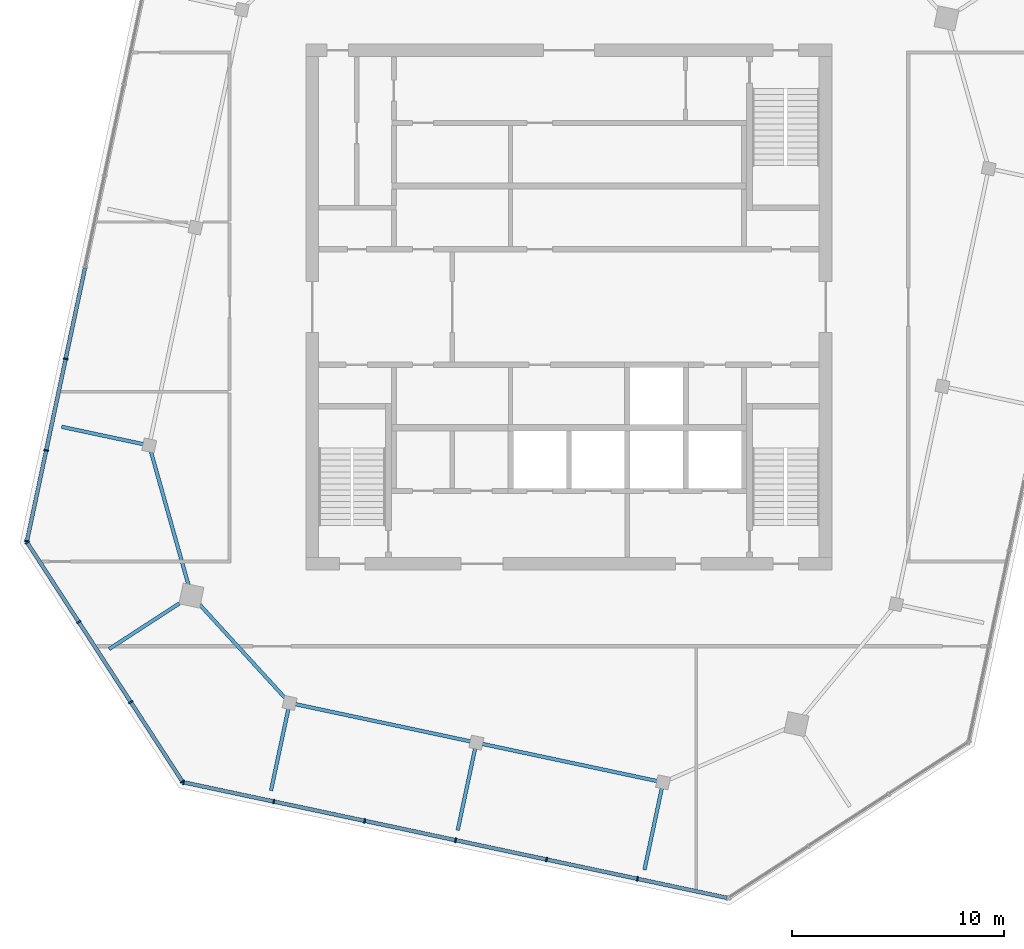
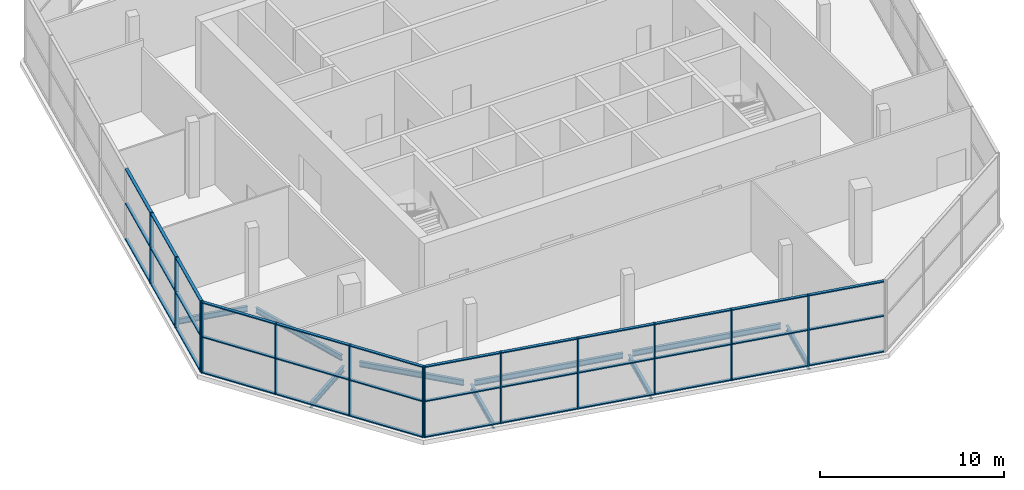
# One storey, part 2 of 11: 49 members, 9 beams, 3 elements without a shape of their own.
"""IFC4 building model written with IfcOpenShell, lengths in metres."""

from ifc_helpers import new_model, si_unit, direction, frame, origin, origin_2d, place, context, subcontext, project, spatial, rectangle, i_section, extrude, material, material_profile, profile_set, type_object, element, aggregate, save


model = new_model("IFC4")

# Units and contexts
model_context = context("Model", 3, precision=1e-05, world=origin(), true_north=direction((0.0, 1.0)))
body_context = subcontext(model_context, "Body", "Model", "MODEL_VIEW")
ifc_project = project(units=[si_unit("LENGTHUNIT", "METRE"), si_unit("AREAUNIT", "SQUARE_METRE"), si_unit("VOLUMEUNIT", "CUBIC_METRE"), si_unit("PLANEANGLEUNIT", "RADIAN"), si_unit("MASSUNIT", "GRAM", prefix="KILO")], contexts=[model_context])

# Site, building, storey
site_placement = place(None, origin())
site = spatial("IfcSite", under=ifc_project, at=site_placement, CompositionType="ELEMENT")
building_placement = place(site_placement, origin())
building = spatial("IfcBuilding", under=site, at=building_placement, Name="Dilmun Exchange Tower", CompositionType="ELEMENT")
storey_placement = place(building_placement, frame((0.0, 0.0, 363.10009765625)))
storey = spatial("IfcBuildingStorey", under=building, at=storey_placement, Name="Crown L85", CompositionType="ELEMENT", Elevation=363.10009765625)

# Curtain wall, members
ifc_material_1 = material(Name="Anodised aluminium and clear glass", Category="aluminium")
curtain_wall_type = type_object("IfcCurtainWallType", Name="Sky garden glazing", PredefinedType="NOTDEFINED", material=ifc_material_1)
curtain_wall_1_placement = place(storey_placement, origin())
curtain_wall_1 = element("IfcCurtainWall", 1, at=curtain_wall_1_placement, inside=storey, type_object=curtain_wall_type, Name="Sky garden glazing run SG1", PredefinedType="NOTDEFINED")
ifc_material_2 = material(Name="Anodised aluminium", Category="aluminium")
ifc_material_profile_1 = material_profile(ifc_material_2, rectangle(XDim=0.219970703125, YDim=0.070068359375, at=origin_2d()), Name="AL 70x220")
ifc_profile_set_1 = profile_set([ifc_material_profile_1], Name="Anodised aluminium")
member_type_1 = type_object("IfcMemberType", Name="Sky garden glazing mullion 70 x 220", PredefinedType="MULLION", material=ifc_profile_set_1)
member_1_placement = place(storey_placement, frame((-18.169677734375, -22.412109375, 0.0), z_axis=(0.0, 0.0, 1.0), x_axis=(0.20791287979, 0.978147348009, 0.0)))
member_1 = element("IfcMember", 2, at=member_1_placement, type_object=member_type_1, Name="SG1 mullion 1", PredefinedType="MULLION", context=body_context, shape_type="SweptSolid", body=[
    extrude(rectangle(XDim=0.219970703125, YDim=0.070068359375, at=origin_2d()), origin(), (0.0, 0.0, 1.0), 4.699951171875),
])
member_2_placement = place(storey_placement, frame((-13.9169921875, -23.31591796875, 0.0), z_axis=(0.0, 0.0, 1.0), x_axis=(0.20791287979, 0.978147348009, 0.0)))
member_2 = element("IfcMember", 3, at=member_2_placement, type_object=member_type_1, Name="SG1 mullion 2", PredefinedType="MULLION", context=body_context, shape_type="SweptSolid", body=[
    extrude(rectangle(XDim=0.219970703125, YDim=0.070068359375, at=origin_2d()), origin(), (0.0, 0.0, 1.0), 4.699951171875),
])
member_3_placement = place(storey_placement, frame((-9.630126953125, -24.227294921875, 0.0), z_axis=(0.0, 0.0, 1.0), x_axis=(0.20791287979, 0.978147348009, 0.0)))
member_3 = element("IfcMember", 4, at=member_3_placement, type_object=member_type_1, Name="SG1 mullion 3", PredefinedType="MULLION", context=body_context, shape_type="SweptSolid", body=[
    extrude(rectangle(XDim=0.219970703125, YDim=0.070068359375, at=origin_2d()), origin(), (0.0, 0.0, 1.0), 4.699951171875),
])
member_4_placement = place(storey_placement, frame((-5.34326171875, -25.138427734375, 0.0), z_axis=(0.0, 0.0, 1.0), x_axis=(0.20791287979, 0.978147348009, 0.0)))
member_4 = element("IfcMember", 5, at=member_4_placement, type_object=member_type_1, Name="SG1 mullion 4", PredefinedType="MULLION", context=body_context, shape_type="SweptSolid", body=[
    extrude(rectangle(XDim=0.219970703125, YDim=0.070068359375, at=origin_2d()), origin(), (0.0, 0.0, 1.0), 4.699951171875),
])
member_5_placement = place(storey_placement, frame((-1.056396484375, -26.049560546875, 0.0), z_axis=(0.0, 0.0, 1.0), x_axis=(0.20791287979, 0.978147348009, 0.0)))
member_5 = element("IfcMember", 6, at=member_5_placement, type_object=member_type_1, Name="SG1 mullion 5", PredefinedType="MULLION", context=body_context, shape_type="SweptSolid", body=[
    extrude(rectangle(XDim=0.219970703125, YDim=0.070068359375, at=origin_2d()), origin(), (0.0, 0.0, 1.0), 4.699951171875),
])
member_6_placement = place(storey_placement, frame((3.23046875, -26.960693359375, 0.0), z_axis=(0.0, 0.0, 1.0), x_axis=(0.20791287979, 0.978147348009, 0.0)))
member_6 = element("IfcMember", 7, at=member_6_placement, type_object=member_type_1, Name="SG1 mullion 6", PredefinedType="MULLION", context=body_context, shape_type="SweptSolid", body=[
    extrude(rectangle(XDim=0.219970703125, YDim=0.070068359375, at=origin_2d()), origin(), (0.0, 0.0, 1.0), 4.699951171875),
])

curtain_wall_2_placement = place(storey_placement, origin())
curtain_wall_2 = element("IfcCurtainWall", 8, at=curtain_wall_2_placement, inside=storey, type_object=curtain_wall_type, Name="Sky garden glazing run SG7", PredefinedType="NOTDEFINED")
member_7_placement = place(storey_placement, frame((-23.726806640625, -2.44482421875, 0.0), z_axis=(0.0, 0.0, 1.0), x_axis=(0.97814767341, -0.207911348902, 0.0)))
member_7 = element("IfcMember", 9, at=member_7_placement, type_object=member_type_1, Name="SG7 mullion 6", PredefinedType="MULLION", context=body_context, shape_type="SweptSolid", body=[
    extrude(rectangle(XDim=0.219970703125, YDim=0.070068359375, at=origin_2d()), origin(), (0.0, 0.0, 1.0), 4.699951171875),
])
member_8_placement = place(storey_placement, frame((-24.64404296875, -6.76025390625, 0.0), z_axis=(0.0, 0.0, 1.0), x_axis=(0.97814767341, -0.207911348902, 0.0)))
member_8 = element("IfcMember", 10, at=member_8_placement, type_object=member_type_1, Name="SG7 mullion 7", PredefinedType="MULLION", context=body_context, shape_type="SweptSolid", body=[
    extrude(rectangle(XDim=0.219970703125, YDim=0.070068359375, at=origin_2d()), origin(), (0.0, 0.0, 1.0), 4.699951171875),
])
member_9_placement = place(storey_placement, frame((-25.553955078125, -11.041259765625, 0.0), z_axis=(0.0, 0.0, 1.0), x_axis=(0.97814767341, -0.207911348902, 0.0)))
member_9 = element("IfcMember", 11, at=member_9_placement, type_object=member_type_1, Name="SG7 mullion 8", PredefinedType="MULLION", context=body_context, shape_type="SweptSolid", body=[
    extrude(rectangle(XDim=0.219970703125, YDim=0.070068359375, at=origin_2d()), origin(), (0.0, 0.0, 1.0), 4.699951171875),
])

curtain_wall_3_placement = place(storey_placement, origin())
curtain_wall_3 = element("IfcCurtainWall", 12, at=curtain_wall_3_placement, inside=storey, type_object=curtain_wall_type, Name="Sky garden glazing run SG8", PredefinedType="NOTDEFINED")
member_10_placement = place(storey_placement, frame((-25.542236328125, -11.104736328125, 0.0), z_axis=(0.0, 0.0, 1.0), x_axis=(0.838667132077, 0.544644325751, 0.0)))
member_10 = element("IfcMember", 13, at=member_10_placement, type_object=member_type_1, Name="SG8 mullion 1", PredefinedType="MULLION", context=body_context, shape_type="SweptSolid", body=[
    extrude(rectangle(XDim=0.219970703125, YDim=0.070068359375, at=origin_2d()), origin(), (0.0, 0.0, 1.0), 4.699951171875),
])
member_11_placement = place(storey_placement, frame((-23.10888671875, -14.851806640625, 0.0), z_axis=(0.0, 0.0, 1.0), x_axis=(0.838667132077, 0.544644325751, 0.0)))
member_11 = element("IfcMember", 14, at=member_11_placement, type_object=member_type_1, Name="SG8 mullion 2", PredefinedType="MULLION", context=body_context, shape_type="SweptSolid", body=[
    extrude(rectangle(XDim=0.219970703125, YDim=0.070068359375, at=origin_2d()), origin(), (0.0, 0.0, 1.0), 4.699951171875),
])
member_12_placement = place(storey_placement, frame((-20.65625, -18.62841796875, 0.0), z_axis=(0.0, 0.0, 1.0), x_axis=(0.838667132077, 0.544644325751, 0.0)))
member_12 = element("IfcMember", 15, at=member_12_placement, type_object=member_type_1, Name="SG8 mullion 3", PredefinedType="MULLION", context=body_context, shape_type="SweptSolid", body=[
    extrude(rectangle(XDim=0.219970703125, YDim=0.070068359375, at=origin_2d()), origin(), (0.0, 0.0, 1.0), 4.699951171875),
])
member_13_placement = place(storey_placement, frame((-18.222900390625, -22.37548828125, 0.0), z_axis=(0.0, 0.0, 1.0), x_axis=(0.838667132077, 0.544644325751, 0.0)))
member_13 = element("IfcMember", 16, at=member_13_placement, type_object=member_type_1, Name="SG8 mullion 4", PredefinedType="MULLION", context=body_context, shape_type="SweptSolid", body=[
    extrude(rectangle(XDim=0.219970703125, YDim=0.070068359375, at=origin_2d()), origin(), (0.0, 0.0, 1.0), 4.699951171875),
])

# Member
ifc_material_profile_2 = material_profile(ifc_material_2, rectangle(XDim=0.179931640625, YDim=0.070068359375, at=origin_2d()), Name="AL 70x180")
ifc_profile_set_2 = profile_set([ifc_material_profile_2], Name="Anodised aluminium")
member_type_2 = type_object("IfcMemberType", Name="Sky garden glazing transom 70 x 180", PredefinedType="USERDEFINED", material=ifc_profile_set_2)
member_14_placement = place(storey_placement, frame((-18.13525390625, -22.41943359375, 0.034912109375), z_axis=(0.978145213699, -0.207922920615, 0.0), x_axis=(0.207922920615, 0.978145213699, 0.0)))
member_14 = element("IfcMember", 17, at=member_14_placement, type_object=member_type_2, Name="SG1 transom 1.1", ObjectType="TRANSOM", PredefinedType="USERDEFINED", context=body_context, shape_type="SweptSolid", body=[
    extrude(rectangle(XDim=0.179931640625, YDim=0.070068359375, at=origin_2d()), origin(), (0.0, 0.0, 1.0), 4.277587890625),
])

member_15_placement = place(storey_placement, frame((-18.13525390625, -22.41943359375, 2.39990234375), z_axis=(0.978145213699, -0.207922920615, 0.0), x_axis=(0.207922920615, 0.978145213699, 0.0)))
member_15 = element("IfcMember", 18, at=member_15_placement, type_object=member_type_2, Name="SG1 transom 1.2", ObjectType="TRANSOM", PredefinedType="USERDEFINED", context=body_context, shape_type="SweptSolid", body=[
    extrude(rectangle(XDim=0.179931640625, YDim=0.070068359375, at=origin_2d()), origin(), (0.0, 0.0, 1.0), 4.277587890625),
])

member_16_placement = place(storey_placement, frame((-18.13525390625, -22.41943359375, 4.664794921875), z_axis=(0.978145213699, -0.207922920615, 0.0), x_axis=(0.207922920615, 0.978145213699, 0.0)))
member_16 = element("IfcMember", 19, at=member_16_placement, type_object=member_type_2, Name="SG1 transom 1.3", ObjectType="TRANSOM", PredefinedType="USERDEFINED", context=body_context, shape_type="SweptSolid", body=[
    extrude(rectangle(XDim=0.179931640625, YDim=0.070068359375, at=origin_2d()), origin(), (0.0, 0.0, 1.0), 4.277587890625),
])

member_17_placement = place(storey_placement, frame((-13.8828125, -23.3232421875, 0.034912109375), z_axis=(0.978144893257, -0.207924428088, 0.0), x_axis=(0.207924428088, 0.978144893257, 0.0)))
member_17 = element("IfcMember", 20, at=member_17_placement, type_object=member_type_2, Name="SG1 transom 2.1", ObjectType="TRANSOM", PredefinedType="USERDEFINED", context=body_context, shape_type="SweptSolid", body=[
    extrude(rectangle(XDim=0.179931640625, YDim=0.070068359375, at=origin_2d()), origin(), (0.0, 0.0, 1.0), 4.312744140625),
])

member_18_placement = place(storey_placement, frame((-13.8828125, -23.3232421875, 2.39990234375), z_axis=(0.978144893257, -0.207924428088, 0.0), x_axis=(0.207924428088, 0.978144893257, 0.0)))
member_18 = element("IfcMember", 21, at=member_18_placement, type_object=member_type_2, Name="SG1 transom 2.2", ObjectType="TRANSOM", PredefinedType="USERDEFINED", context=body_context, shape_type="SweptSolid", body=[
    extrude(rectangle(XDim=0.179931640625, YDim=0.070068359375, at=origin_2d()), origin(), (0.0, 0.0, 1.0), 4.312744140625),
])

member_19_placement = place(storey_placement, frame((-13.8828125, -23.3232421875, 4.664794921875), z_axis=(0.978144893257, -0.207924428088, 0.0), x_axis=(0.207924428088, 0.978144893257, 0.0)))
member_19 = element("IfcMember", 22, at=member_19_placement, type_object=member_type_2, Name="SG1 transom 2.3", ObjectType="TRANSOM", PredefinedType="USERDEFINED", context=body_context, shape_type="SweptSolid", body=[
    extrude(rectangle(XDim=0.179931640625, YDim=0.070068359375, at=origin_2d()), origin(), (0.0, 0.0, 1.0), 4.312744140625),
])

member_20_placement = place(storey_placement, frame((-9.595947265625, -24.234375, 0.034912109375), z_axis=(0.978144893257, -0.207924428088, 0.0), x_axis=(0.207924428088, 0.978144893257, 0.0)))
member_20 = element("IfcMember", 23, at=member_20_placement, type_object=member_type_2, Name="SG1 transom 3.1", ObjectType="TRANSOM", PredefinedType="USERDEFINED", context=body_context, shape_type="SweptSolid", body=[
    extrude(rectangle(XDim=0.179931640625, YDim=0.070068359375, at=origin_2d()), origin(), (0.0, 0.0, 1.0), 4.312744140625),
])

member_21_placement = place(storey_placement, frame((-9.595947265625, -24.234375, 2.39990234375), z_axis=(0.978144893257, -0.207924428088, 0.0), x_axis=(0.207924428088, 0.978144893257, 0.0)))
member_21 = element("IfcMember", 24, at=member_21_placement, type_object=member_type_2, Name="SG1 transom 3.2", ObjectType="TRANSOM", PredefinedType="USERDEFINED", context=body_context, shape_type="SweptSolid", body=[
    extrude(rectangle(XDim=0.179931640625, YDim=0.070068359375, at=origin_2d()), origin(), (0.0, 0.0, 1.0), 4.312744140625),
])

member_22_placement = place(storey_placement, frame((-9.595947265625, -24.234375, 4.664794921875), z_axis=(0.978144893257, -0.207924428088, 0.0), x_axis=(0.207924428088, 0.978144893257, 0.0)))
member_22 = element("IfcMember", 25, at=member_22_placement, type_object=member_type_2, Name="SG1 transom 3.3", ObjectType="TRANSOM", PredefinedType="USERDEFINED", context=body_context, shape_type="SweptSolid", body=[
    extrude(rectangle(XDim=0.179931640625, YDim=0.070068359375, at=origin_2d()), origin(), (0.0, 0.0, 1.0), 4.312744140625),
])

member_23_placement = place(storey_placement, frame((-5.30908203125, -25.145751953125, 0.034912109375), z_axis=(0.978153958715, -0.207881776618, 0.0), x_axis=(0.207881776618, 0.978153958715, 0.0)))
member_23 = element("IfcMember", 26, at=member_23_placement, type_object=member_type_2, Name="SG1 transom 4.1", ObjectType="TRANSOM", PredefinedType="USERDEFINED", context=body_context, shape_type="SweptSolid", body=[
    extrude(rectangle(XDim=0.179931640625, YDim=0.070068359375, at=origin_2d()), origin(), (0.0, 0.0, 1.0), 4.3125),
])

member_24_placement = place(storey_placement, frame((-5.30908203125, -25.145751953125, 2.39990234375), z_axis=(0.978153958715, -0.207881776618, 0.0), x_axis=(0.207881776618, 0.978153958715, 0.0)))
member_24 = element("IfcMember", 27, at=member_24_placement, type_object=member_type_2, Name="SG1 transom 4.2", ObjectType="TRANSOM", PredefinedType="USERDEFINED", context=body_context, shape_type="SweptSolid", body=[
    extrude(rectangle(XDim=0.179931640625, YDim=0.070068359375, at=origin_2d()), origin(), (0.0, 0.0, 1.0), 4.3125),
])

member_25_placement = place(storey_placement, frame((-5.30908203125, -25.145751953125, 4.664794921875), z_axis=(0.978153958715, -0.207881776618, 0.0), x_axis=(0.207881776618, 0.978153958715, 0.0)))
member_25 = element("IfcMember", 28, at=member_25_placement, type_object=member_type_2, Name="SG1 transom 4.3", ObjectType="TRANSOM", PredefinedType="USERDEFINED", context=body_context, shape_type="SweptSolid", body=[
    extrude(rectangle(XDim=0.179931640625, YDim=0.070068359375, at=origin_2d()), origin(), (0.0, 0.0, 1.0), 4.3125),
])

member_26_placement = place(storey_placement, frame((-1.022216796875, -26.056884765625, 0.034912109375), z_axis=(0.978142445706, -0.207935941838, 0.0), x_axis=(0.207935941838, 0.978142445706, 0.0)))
member_26 = element("IfcMember", 29, at=member_26_placement, type_object=member_type_2, Name="SG1 transom 5.1", ObjectType="TRANSOM", PredefinedType="USERDEFINED", context=body_context, shape_type="SweptSolid", body=[
    extrude(rectangle(XDim=0.179931640625, YDim=0.070068359375, at=origin_2d()), origin(), (0.0, 0.0, 1.0), 4.3125),
])

member_27_placement = place(storey_placement, frame((-1.022216796875, -26.056884765625, 2.39990234375), z_axis=(0.978142445706, -0.207935941838, 0.0), x_axis=(0.207935941838, 0.978142445706, 0.0)))
member_27 = element("IfcMember", 30, at=member_27_placement, type_object=member_type_2, Name="SG1 transom 5.2", ObjectType="TRANSOM", PredefinedType="USERDEFINED", context=body_context, shape_type="SweptSolid", body=[
    extrude(rectangle(XDim=0.179931640625, YDim=0.070068359375, at=origin_2d()), origin(), (0.0, 0.0, 1.0), 4.3125),
])

member_28_placement = place(storey_placement, frame((-1.022216796875, -26.056884765625, 4.664794921875), z_axis=(0.978142445706, -0.207935941838, 0.0), x_axis=(0.207935941838, 0.978142445706, 0.0)))
member_28 = element("IfcMember", 31, at=member_28_placement, type_object=member_type_2, Name="SG1 transom 5.3", ObjectType="TRANSOM", PredefinedType="USERDEFINED", context=body_context, shape_type="SweptSolid", body=[
    extrude(rectangle(XDim=0.179931640625, YDim=0.070068359375, at=origin_2d()), origin(), (0.0, 0.0, 1.0), 4.3125),
])

member_29_placement = place(storey_placement, frame((3.2646484375, -26.968017578125, 0.034912109375), z_axis=(0.978145213699, -0.207922920615, 0.0), x_axis=(0.207922920615, 0.978145213699, 0.0)))
member_29 = element("IfcMember", 32, at=member_29_placement, type_object=member_type_2, Name="SG1 transom 6.1", ObjectType="TRANSOM", PredefinedType="USERDEFINED", context=body_context, shape_type="SweptSolid", body=[
    extrude(rectangle(XDim=0.179931640625, YDim=0.070068359375, at=origin_2d()), origin(), (0.0, 0.0, 1.0), 4.277587890625),
])

member_30_placement = place(storey_placement, frame((3.2646484375, -26.968017578125, 2.39990234375), z_axis=(0.978145213699, -0.207922920615, 0.0), x_axis=(0.207922920615, 0.978145213699, 0.0)))
member_30 = element("IfcMember", 33, at=member_30_placement, type_object=member_type_2, Name="SG1 transom 6.2", ObjectType="TRANSOM", PredefinedType="USERDEFINED", context=body_context, shape_type="SweptSolid", body=[
    extrude(rectangle(XDim=0.179931640625, YDim=0.070068359375, at=origin_2d()), origin(), (0.0, 0.0, 1.0), 4.277587890625),
])

member_31_placement = place(storey_placement, frame((3.2646484375, -26.968017578125, 4.664794921875), z_axis=(0.978145213699, -0.207922920615, 0.0), x_axis=(0.207922920615, 0.978145213699, 0.0)))
member_31 = element("IfcMember", 34, at=member_31_placement, type_object=member_type_2, Name="SG1 transom 6.3", ObjectType="TRANSOM", PredefinedType="USERDEFINED", context=body_context, shape_type="SweptSolid", body=[
    extrude(rectangle(XDim=0.179931640625, YDim=0.070068359375, at=origin_2d()), origin(), (0.0, 0.0, 1.0), 4.277587890625),
])

aggregate(curtain_wall_1, [member_1, member_2, member_3, member_4, member_5, member_6, member_14, member_15, member_16, member_17, member_18, member_19, member_20, member_21, member_22, member_23, member_24, member_25, member_26, member_27, member_28, member_29, member_30, member_31])

member_32_placement = place(storey_placement, frame((-22.81689453125, 1.8359375, 0.034912109375), z_axis=(-0.207900454711, -0.978149988975, 0.0), x_axis=(0.978149988975, -0.207900454711, 0.0)))
member_32 = element("IfcMember", 35, at=member_32_placement, type_object=member_type_2, Name="SG7 transom 5.1", ObjectType="TRANSOM", PredefinedType="USERDEFINED", context=body_context, shape_type="SweptSolid", body=[
    extrude(rectangle(XDim=0.179931640625, YDim=0.070068359375, at=origin_2d()), origin(), (0.0, 0.0, 1.0), 4.341552734375),
])

member_33_placement = place(storey_placement, frame((-22.81689453125, 1.8359375, 2.39990234375), z_axis=(-0.207900454711, -0.978149988975, 0.0), x_axis=(0.978149988975, -0.207900454711, 0.0)))
member_33 = element("IfcMember", 36, at=member_33_placement, type_object=member_type_2, Name="SG7 transom 5.2", ObjectType="TRANSOM", PredefinedType="USERDEFINED", context=body_context, shape_type="SweptSolid", body=[
    extrude(rectangle(XDim=0.179931640625, YDim=0.070068359375, at=origin_2d()), origin(), (0.0, 0.0, 1.0), 4.341552734375),
])

member_34_placement = place(storey_placement, frame((-22.81689453125, 1.8359375, 4.664794921875), z_axis=(-0.207900454711, -0.978149988975, 0.0), x_axis=(0.978149988975, -0.207900454711, 0.0)))
member_34 = element("IfcMember", 37, at=member_34_placement, type_object=member_type_2, Name="SG7 transom 5.3", ObjectType="TRANSOM", PredefinedType="USERDEFINED", context=body_context, shape_type="SweptSolid", body=[
    extrude(rectangle(XDim=0.179931640625, YDim=0.070068359375, at=origin_2d()), origin(), (0.0, 0.0, 1.0), 4.341552734375),
])

member_35_placement = place(storey_placement, frame((-23.734130859375, -2.479248046875, 0.034912109375), z_axis=(-0.207900454711, -0.978149988975, 0.0), x_axis=(0.978149988975, -0.207900454711, 0.0)))
member_35 = element("IfcMember", 38, at=member_35_placement, type_object=member_type_2, Name="SG7 transom 6.1", ObjectType="TRANSOM", PredefinedType="USERDEFINED", context=body_context, shape_type="SweptSolid", body=[
    extrude(rectangle(XDim=0.179931640625, YDim=0.070068359375, at=origin_2d()), origin(), (0.0, 0.0, 1.0), 4.341552734375),
])

member_36_placement = place(storey_placement, frame((-23.734130859375, -2.479248046875, 2.39990234375), z_axis=(-0.207900454711, -0.978149988975, 0.0), x_axis=(0.978149988975, -0.207900454711, 0.0)))
member_36 = element("IfcMember", 39, at=member_36_placement, type_object=member_type_2, Name="SG7 transom 6.2", ObjectType="TRANSOM", PredefinedType="USERDEFINED", context=body_context, shape_type="SweptSolid", body=[
    extrude(rectangle(XDim=0.179931640625, YDim=0.070068359375, at=origin_2d()), origin(), (0.0, 0.0, 1.0), 4.341552734375),
])

member_37_placement = place(storey_placement, frame((-23.734130859375, -2.479248046875, 4.664794921875), z_axis=(-0.207900454711, -0.978149988975, 0.0), x_axis=(0.978149988975, -0.207900454711, 0.0)))
member_37 = element("IfcMember", 40, at=member_37_placement, type_object=member_type_2, Name="SG7 transom 6.3", ObjectType="TRANSOM", PredefinedType="USERDEFINED", context=body_context, shape_type="SweptSolid", body=[
    extrude(rectangle(XDim=0.179931640625, YDim=0.070068359375, at=origin_2d()), origin(), (0.0, 0.0, 1.0), 4.341552734375),
])

member_38_placement = place(storey_placement, frame((-24.6513671875, -6.79443359375, 0.034912109375), z_axis=(-0.207887232781, -0.97815279913, 0.0), x_axis=(0.97815279913, -0.207887232781, 0.0)))
member_38 = element("IfcMember", 41, at=member_38_placement, type_object=member_type_2, Name="SG7 transom 7.1", ObjectType="TRANSOM", PredefinedType="USERDEFINED", context=body_context, shape_type="SweptSolid", body=[
    extrude(rectangle(XDim=0.179931640625, YDim=0.070068359375, at=origin_2d()), origin(), (0.0, 0.0, 1.0), 4.306396484375),
])

member_39_placement = place(storey_placement, frame((-24.6513671875, -6.79443359375, 2.39990234375), z_axis=(-0.207887232781, -0.97815279913, 0.0), x_axis=(0.97815279913, -0.207887232781, 0.0)))
member_39 = element("IfcMember", 42, at=member_39_placement, type_object=member_type_2, Name="SG7 transom 7.2", ObjectType="TRANSOM", PredefinedType="USERDEFINED", context=body_context, shape_type="SweptSolid", body=[
    extrude(rectangle(XDim=0.179931640625, YDim=0.070068359375, at=origin_2d()), origin(), (0.0, 0.0, 1.0), 4.306396484375),
])

member_40_placement = place(storey_placement, frame((-24.6513671875, -6.79443359375, 4.664794921875), z_axis=(-0.207887232781, -0.97815279913, 0.0), x_axis=(0.97815279913, -0.207887232781, 0.0)))
member_40 = element("IfcMember", 43, at=member_40_placement, type_object=member_type_2, Name="SG7 transom 7.3", ObjectType="TRANSOM", PredefinedType="USERDEFINED", context=body_context, shape_type="SweptSolid", body=[
    extrude(rectangle(XDim=0.179931640625, YDim=0.070068359375, at=origin_2d()), origin(), (0.0, 0.0, 1.0), 4.306396484375),
])

aggregate(curtain_wall_2, [member_7, member_8, member_9, member_32, member_33, member_34, member_35, member_36, member_37, member_38, member_39, member_40])

member_41_placement = place(storey_placement, frame((-25.523193359375, -11.134033203125, 0.034912109375), z_axis=(0.544629276815, -0.838676904914, 0.0), x_axis=(0.838676904914, 0.544629276815, 0.0)))
member_41 = element("IfcMember", 44, at=member_41_placement, type_object=member_type_2, Name="SG8 transom 1.1", ObjectType="TRANSOM", PredefinedType="USERDEFINED", context=body_context, shape_type="SweptSolid", body=[
    extrude(rectangle(XDim=0.179931640625, YDim=0.070068359375, at=origin_2d()), origin(), (0.0, 0.0, 1.0), 4.39794921875),
])

member_42_placement = place(storey_placement, frame((-25.523193359375, -11.134033203125, 2.39990234375), z_axis=(0.544629276815, -0.838676904914, 0.0), x_axis=(0.838676904914, 0.544629276815, 0.0)))
member_42 = element("IfcMember", 45, at=member_42_placement, type_object=member_type_2, Name="SG8 transom 1.2", ObjectType="TRANSOM", PredefinedType="USERDEFINED", context=body_context, shape_type="SweptSolid", body=[
    extrude(rectangle(XDim=0.179931640625, YDim=0.070068359375, at=origin_2d()), origin(), (0.0, 0.0, 1.0), 4.39794921875),
])

member_43_placement = place(storey_placement, frame((-25.523193359375, -11.134033203125, 4.664794921875), z_axis=(0.544629276815, -0.838676904914, 0.0), x_axis=(0.838676904914, 0.544629276815, 0.0)))
member_43 = element("IfcMember", 46, at=member_43_placement, type_object=member_type_2, Name="SG8 transom 1.3", ObjectType="TRANSOM", PredefinedType="USERDEFINED", context=body_context, shape_type="SweptSolid", body=[
    extrude(rectangle(XDim=0.179931640625, YDim=0.070068359375, at=origin_2d()), origin(), (0.0, 0.0, 1.0), 4.39794921875),
])

member_44_placement = place(storey_placement, frame((-23.08984375, -14.881103515625, 0.034912109375), z_axis=(0.544670843925, -0.83864991014, 0.0), x_axis=(0.83864991014, 0.544670843925, 0.0)))
member_44 = element("IfcMember", 47, at=member_44_placement, type_object=member_type_2, Name="SG8 transom 2.1", ObjectType="TRANSOM", PredefinedType="USERDEFINED", context=body_context, shape_type="SweptSolid", body=[
    extrude(rectangle(XDim=0.179931640625, YDim=0.070068359375, at=origin_2d()), origin(), (0.0, 0.0, 1.0), 4.43310546875),
])

member_45_placement = place(storey_placement, frame((-23.08984375, -14.881103515625, 2.39990234375), z_axis=(0.544670843925, -0.83864991014, 0.0), x_axis=(0.83864991014, 0.544670843925, 0.0)))
member_45 = element("IfcMember", 48, at=member_45_placement, type_object=member_type_2, Name="SG8 transom 2.2", ObjectType="TRANSOM", PredefinedType="USERDEFINED", context=body_context, shape_type="SweptSolid", body=[
    extrude(rectangle(XDim=0.179931640625, YDim=0.070068359375, at=origin_2d()), origin(), (0.0, 0.0, 1.0), 4.43310546875),
])

member_46_placement = place(storey_placement, frame((-23.08984375, -14.881103515625, 4.664794921875), z_axis=(0.544670843925, -0.83864991014, 0.0), x_axis=(0.83864991014, 0.544670843925, 0.0)))
member_46 = element("IfcMember", 49, at=member_46_placement, type_object=member_type_2, Name="SG8 transom 2.3", ObjectType="TRANSOM", PredefinedType="USERDEFINED", context=body_context, shape_type="SweptSolid", body=[
    extrude(rectangle(XDim=0.179931640625, YDim=0.070068359375, at=origin_2d()), origin(), (0.0, 0.0, 1.0), 4.43310546875),
])

member_47_placement = place(storey_placement, frame((-20.63720703125, -18.65771484375, 0.034912109375), z_axis=(0.544629276815, -0.838676904914, 0.0), x_axis=(0.838676904914, 0.544629276815, 0.0)))
member_47 = element("IfcMember", 50, at=member_47_placement, type_object=member_type_2, Name="SG8 transom 3.1", ObjectType="TRANSOM", PredefinedType="USERDEFINED", context=body_context, shape_type="SweptSolid", body=[
    extrude(rectangle(XDim=0.179931640625, YDim=0.070068359375, at=origin_2d()), origin(), (0.0, 0.0, 1.0), 4.39794921875),
])

member_48_placement = place(storey_placement, frame((-20.63720703125, -18.65771484375, 2.39990234375), z_axis=(0.544629276815, -0.838676904914, 0.0), x_axis=(0.838676904914, 0.544629276815, 0.0)))
member_48 = element("IfcMember", 51, at=member_48_placement, type_object=member_type_2, Name="SG8 transom 3.2", ObjectType="TRANSOM", PredefinedType="USERDEFINED", context=body_context, shape_type="SweptSolid", body=[
    extrude(rectangle(XDim=0.179931640625, YDim=0.070068359375, at=origin_2d()), origin(), (0.0, 0.0, 1.0), 4.39794921875),
])

member_49_placement = place(storey_placement, frame((-20.63720703125, -18.65771484375, 4.664794921875), z_axis=(0.544629276815, -0.838676904914, 0.0), x_axis=(0.838676904914, 0.544629276815, 0.0)))
member_49 = element("IfcMember", 52, at=member_49_placement, type_object=member_type_2, Name="SG8 transom 3.3", ObjectType="TRANSOM", PredefinedType="USERDEFINED", context=body_context, shape_type="SweptSolid", body=[
    extrude(rectangle(XDim=0.179931640625, YDim=0.070068359375, at=origin_2d()), origin(), (0.0, 0.0, 1.0), 4.39794921875),
])

aggregate(curtain_wall_3, [member_10, member_11, member_12, member_13, member_41, member_42, member_43, member_44, member_45, member_46, member_47, member_48, member_49])

# Beams
ifc_material_3 = material(Name="Steel S355", Category="steel")
ifc_material_profile_3 = material_profile(ifc_material_3, i_section(OverallWidth=0.169921875, OverallDepth=0.360107421875, WebThickness=0.008056640625, FlangeThickness=0.0126953125, FilletRadius=0.01806640625, at=origin_2d()), Name="IPE 360")
ifc_profile_set_3 = profile_set([ifc_material_profile_3], Name="Steel S355")
beam_type_1 = type_object("IfcBeamType", Name="crown cantilever beam IPE 360", PredefinedType="BEAM", material=ifc_profile_set_3)
beam_1_placement = place(storey_placement, frame((-20.056884765625, -6.47119140625, -0.47998046875), z_axis=(-0.978146596989, 0.207916413008, 0.0), x_axis=(-0.207916413008, -0.978146596989, 0.0)))
element("IfcBeam", 53, at=beam_1_placement, inside=storey, type_object=beam_type_1, Name="Crown cantilever beam 4", PredefinedType="BEAM", context=body_context, shape_type="SweptSolid", body=[
    extrude(i_section(OverallWidth=0.169921875, OverallDepth=0.360107421875, WebThickness=0.008056640625, FlangeThickness=0.0126953125, FilletRadius=0.01806640625, at=origin_2d()), origin(), (0.0, 0.0, 1.0), 3.9501953125),
])
beam_2_placement = place(storey_placement, frame((-18.368408203125, -13.977294921875, -0.47998046875), z_axis=(-0.838665249911, -0.544647223982, 0.0), x_axis=(0.544647223982, -0.838665249911, 0.0)))
element("IfcBeam", 54, at=beam_2_placement, inside=storey, type_object=beam_type_1, Name="Crown cantilever beam 5", PredefinedType="BEAM", context=body_context, shape_type="SweptSolid", body=[
    extrude(i_section(OverallWidth=0.169921875, OverallDepth=0.360107421875, WebThickness=0.008056640625, FlangeThickness=0.0126953125, FilletRadius=0.01806640625, at=origin_2d()), origin(), (0.0, 0.0, 1.0), 3.949951171875),
])
beam_3_placement = place(storey_placement, frame((-13.225830078125, -18.93701171875, -0.47998046875), z_axis=(-0.207916413008, -0.978146596989, 0.0), x_axis=(0.978146596989, -0.207916413008, 0.0)))
element("IfcBeam", 55, at=beam_3_placement, inside=storey, type_object=beam_type_1, Name="Crown cantilever beam 6", PredefinedType="BEAM", context=body_context, shape_type="SweptSolid", body=[
    extrude(i_section(OverallWidth=0.169921875, OverallDepth=0.360107421875, WebThickness=0.008056640625, FlangeThickness=0.0126953125, FilletRadius=0.01806640625, at=origin_2d()), origin(), (0.0, 0.0, 1.0), 3.9501953125),
])
beam_4_placement = place(storey_placement, frame((-4.4228515625, -20.80810546875, -0.47998046875), z_axis=(-0.20786984461, -0.978156494484, 0.0), x_axis=(0.978156494484, -0.20786984461, 0.0)))
element("IfcBeam", 56, at=beam_4_placement, inside=storey, type_object=beam_type_1, Name="Crown cantilever beam 7", PredefinedType="BEAM", context=body_context, shape_type="SweptSolid", body=[
    extrude(i_section(OverallWidth=0.169921875, OverallDepth=0.360107421875, WebThickness=0.008056640625, FlangeThickness=0.0126953125, FilletRadius=0.01806640625, at=origin_2d()), origin(), (0.0, 0.0, 1.0), 3.94970703125),
])
beam_5_placement = place(storey_placement, frame((4.380126953125, -22.678955078125, -0.47998046875), z_axis=(-0.207857277402, -0.978159165081, 0.0), x_axis=(0.978159165081, -0.207857277402, 0.0)))
element("IfcBeam", 57, at=beam_5_placement, inside=storey, type_object=beam_type_1, Name="Crown cantilever beam 8", PredefinedType="BEAM", context=body_context, shape_type="SweptSolid", body=[
    extrude(i_section(OverallWidth=0.169921875, OverallDepth=0.360107421875, WebThickness=0.008056640625, FlangeThickness=0.0126953125, FilletRadius=0.01806640625, at=origin_2d()), origin(), (0.0, 0.0, 1.0), 3.949951171875),
])
ifc_material_profile_4 = material_profile(ifc_material_3, i_section(OverallWidth=0.169921875, OverallDepth=0.360107421875, WebThickness=0.008056640625, FlangeThickness=0.0126953125, FilletRadius=0.01806640625, at=origin_2d()), Name="IPE 360")
ifc_profile_set_4 = profile_set([ifc_material_profile_4], Name="Steel S355")
beam_type_2 = type_object("IfcBeamType", Name="crown ring beam IPE 360", PredefinedType="BEAM", material=ifc_profile_set_4)
beam_6_placement = place(storey_placement, frame((-19.70556640625, -6.828125, -0.47998046875), z_axis=(0.27088688056, -0.962611187313, 0.0), x_axis=(0.962611187313, 0.27088688056, 0.0)))
element("IfcBeam", 58, at=beam_6_placement, inside=storey, type_object=beam_type_2, Name="Crown ring beam 4", PredefinedType="BEAM", context=body_context, shape_type="SweptSolid", body=[
    extrude(i_section(OverallWidth=0.169921875, OverallDepth=0.360107421875, WebThickness=0.008056640625, FlangeThickness=0.0126953125, FilletRadius=0.01806640625, at=origin_2d()), origin(), (0.0, 0.0, 1.0), 6.50439453125),
])
beam_7_placement = place(storey_placement, frame((-17.401611328125, -14.040771484375, -0.47998046875), z_axis=(0.674784574678, -0.738014754443, 0.0), x_axis=(0.738014754443, 0.674784574678, 0.0)))
element("IfcBeam", 59, at=beam_7_placement, inside=storey, type_object=beam_type_2, Name="Crown ring beam 5", PredefinedType="BEAM", context=body_context, shape_type="SweptSolid", body=[
    extrude(i_section(OverallWidth=0.169921875, OverallDepth=0.360107421875, WebThickness=0.008056640625, FlangeThickness=0.0126953125, FilletRadius=0.01806640625, at=origin_2d()), origin(), (0.0, 0.0, 1.0), 5.9306640625),
])
for number, where, z_axis, x_axis, name in (
    (60, (-12.902099609375, -18.726806640625, -0.47998046875), (0.978155180899, -0.207876025749, 0.0), (0.207876025749, 0.978155180899, 0.0), "Crown ring beam 6"),
    (61, (-4.09912109375, -20.597900390625, -0.47998046875), (0.978155180899, -0.207876025749, 0.0), (0.207876025749, 0.978155180899, 0.0), "Crown ring beam 7"),
):
    element("IfcBeam", number, at=place(storey_placement, frame(where, z_axis=z_axis, x_axis=x_axis)), inside=storey, type_object=beam_type_2, Name=name, PredefinedType="BEAM", context=body_context, shape_type="SweptSolid", body=[
        extrude(i_section(OverallWidth=0.169921875, OverallDepth=0.360107421875, WebThickness=0.008056640625, FlangeThickness=0.0126953125, FilletRadius=0.01806640625, at=origin_2d()), origin(), (0.0, 0.0, 1.0), 8.45361328125),
    ])

save(model, "model.ifc")
